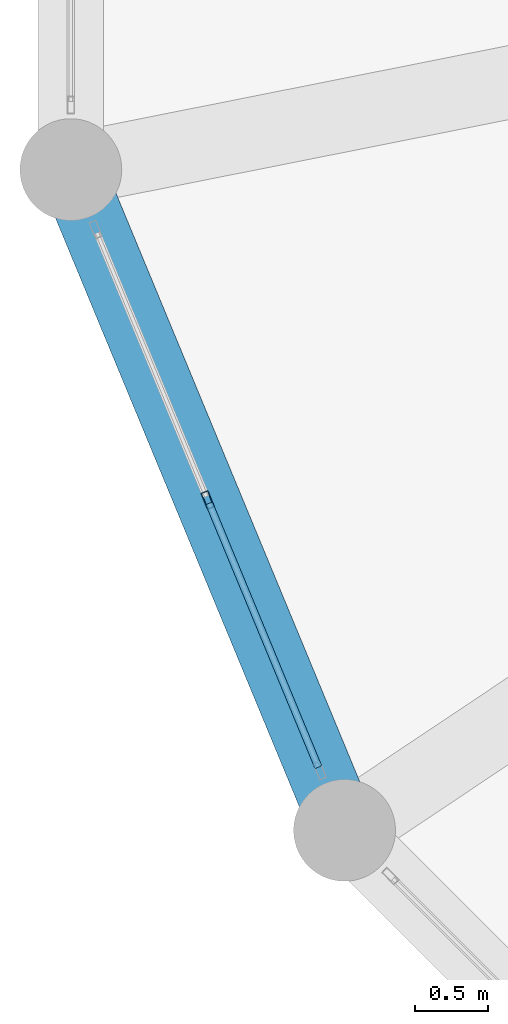
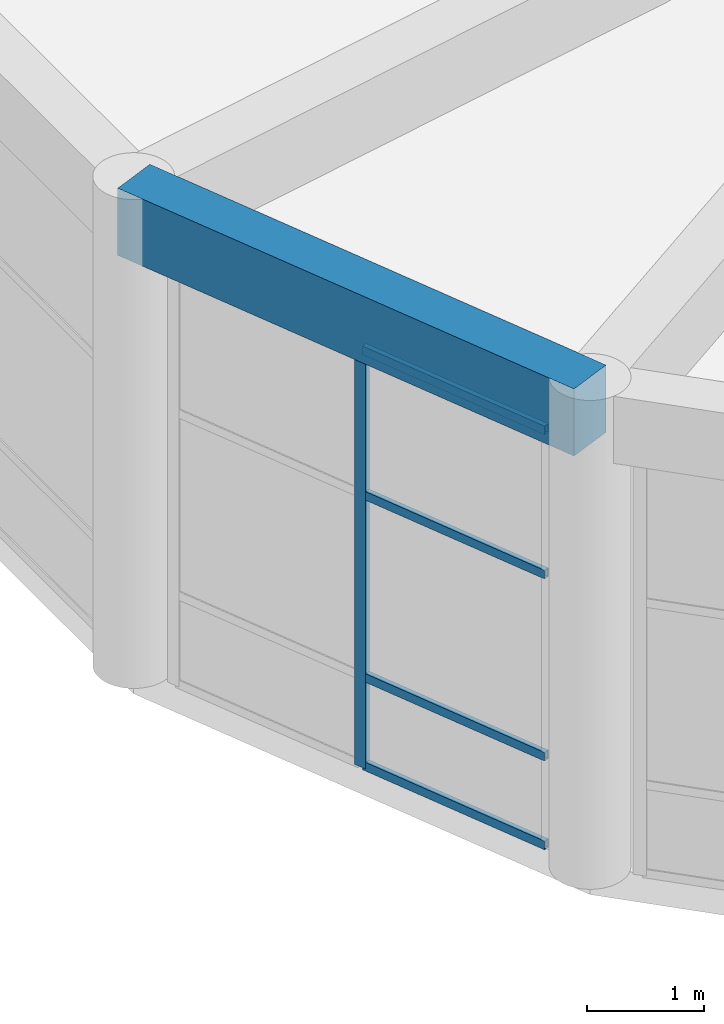
# One storey, part 4 of 96: 5 members, 1 beam, 1 element without a shape of its own.
"""IFC4 building model written with IfcOpenShell, lengths in metres."""

from ifc_helpers import new_model, si_unit, direction, frame, origin, origin_2d, place, context, subcontext, project, spatial, rectangle, hollow_rectangle, extrude, material, material_profile, profile_set, type_object, element, aggregate, save


model = new_model("IFC4")

# Units and contexts
model_context = context("Model", 3, precision=1e-05, world=origin(), true_north=direction((0.0, 1.0)))
body_context = subcontext(model_context, "Body", "Model", "MODEL_VIEW")
ifc_project = project(units=[si_unit("LENGTHUNIT", "METRE"), si_unit("AREAUNIT", "SQUARE_METRE"), si_unit("VOLUMEUNIT", "CUBIC_METRE"), si_unit("PLANEANGLEUNIT", "RADIAN"), si_unit("MASSUNIT", "GRAM", prefix="KILO")], contexts=[model_context])

# Site, building, storey
site_placement = place(None, origin())
site = spatial("IfcSite", under=ifc_project, at=site_placement, CompositionType="ELEMENT")
building_placement = place(site_placement, origin())
building = spatial("IfcBuilding", under=site, at=building_placement, Name="Almacenes y Pasaje Nevantli", CompositionType="ELEMENT")
storey_placement = place(building_placement, frame((0.0, 0.0, 6.0)))
storey = spatial("IfcBuildingStorey", under=building, at=storey_placement, Name="L02", CompositionType="ELEMENT", Elevation=6.0)

# Beam
ifc_material_1 = material(Name="Concrete C35/45", Category="concrete")
ifc_material_profile_1 = material_profile(ifc_material_1, rectangle(XDim=0.449951171875, YDim=0.699951171875, at=origin_2d()), Name="RC-BM-450x700")
ifc_profile_set_1 = profile_set([ifc_material_profile_1], Name="Concrete C35/45")
beam_type = type_object("IfcBeamType", Name="BM-RC-450x700", PredefinedType="SPANDREL", material=ifc_profile_set_1)
beam_placement = place(storey_placement, frame((-3.9580078125, 5.94189453125, 4.75), z_axis=(0.38272458482, -0.923862485532, 0.0), x_axis=(0.923862485532, 0.38272458482, 0.0)))
element("IfcBeam", 1, at=beam_placement, inside=storey, type_object=beam_type, Name="L02 Rotunda Ring Spandrel Beam #9", PredefinedType="SPANDREL", context=body_context, shape_type="SweptSolid", body=[
    extrude(rectangle(XDim=0.449951171875, YDim=0.699951171875, at=origin_2d()), origin(), (0.0, 0.0, 1.0), 4.916259765625),
])

# Curtain wall, members
ifc_material_2 = material(Name="Thermally Broken Aluminium and Low-E Glass", Category="aluminium")
curtain_wall_type = type_object("IfcCurtainWallType", Name="CW-UNIT-ROTUNDA", PredefinedType="USERDEFINED", material=ifc_material_2)
curtain_wall_placement = place(storey_placement, origin())
curtain_wall = element("IfcCurtainWall", 2, at=curtain_wall_placement, inside=storey, type_object=curtain_wall_type, Name="L02 Corner Rotunda Faceted Curtain Wall Facet #9", ObjectType="UNITIZED CURTAIN WALL", PredefinedType="USERDEFINED")
ifc_material_3 = material(Name="Thermally Broken Anodized Aluminium", Category="aluminium")
ifc_material_profile_2 = material_profile(ifc_material_3, hollow_rectangle(XDim=0.050048828125, YDim=0.1201171875, WallThickness=0.003173828125, at=origin_2d()), Name="ALU-MUL-50x120")
ifc_profile_set_2 = profile_set([ifc_material_profile_2], Name="Thermally Broken Anodized Aluminium")
member_type_1 = type_object("IfcMemberType", Name="CW-MUL-140", PredefinedType="MULLION", material=ifc_profile_set_2)
member_1_placement = place(storey_placement, frame((-3.01708984375, 3.6708984375, 0.0), z_axis=(0.0, 0.0, 1.0), x_axis=(0.923873311502, 0.382698450865, 0.0)))
member_1 = element("IfcMember", 3, at=member_1_placement, type_object=member_type_1, Name="CW-L02-028 mullion 2", PredefinedType="MULLION", context=body_context, shape_type="SweptSolid", body=[
    extrude(hollow_rectangle(XDim=0.050048828125, YDim=0.1201171875, WallThickness=0.003173828125, at=origin_2d()), origin(), (0.0, 0.0, 1.0), 4.3798828125),
])
ifc_material_4 = material(Name="Thermally Broken Anodized Aluminium", Category="aluminium")
ifc_material_profile_3 = material_profile(ifc_material_4, hollow_rectangle(XDim=0.050048828125, YDim=0.090087890625, WallThickness=0.0029296875, at=origin_2d()), Name="ALU-TRN-50x90")
ifc_profile_set_3 = profile_set([ifc_material_profile_3], Name="Thermally Broken Anodized Aluminium")
member_type_2 = type_object("IfcMemberType", Name="CW-TRN-100", PredefinedType="USERDEFINED", material=ifc_profile_set_3)
member_2_placement = place(storey_placement, frame((-3.007568359375, 3.647705078125, 0.02490234375), z_axis=(0.382662992588, -0.923887998679, 0.0), x_axis=(0.923887998679, 0.382662992588, 0.0)))
member_2 = element("IfcMember", 4, at=member_2_placement, type_object=member_type_2, Name="CW-L02-028 transom 2.1", ObjectType="TRANSOM", PredefinedType="USERDEFINED", context=body_context, shape_type="SweptSolid", body=[
    extrude(hollow_rectangle(XDim=0.050048828125, YDim=0.090087890625, WallThickness=0.0029296875, at=origin_2d()), origin(), (0.0, 0.0, 1.0), 1.963134765625),
])
member_3_placement = place(storey_placement, frame((-3.007568359375, 3.647705078125, 0.949951171875), z_axis=(0.382662992588, -0.923887998679, 0.0), x_axis=(0.923887998679, 0.382662992588, 0.0)))
member_3 = element("IfcMember", 5, at=member_3_placement, type_object=member_type_2, Name="CW-L02-028 transom 2.2", ObjectType="TRANSOM", PredefinedType="USERDEFINED", context=body_context, shape_type="SweptSolid", body=[
    extrude(hollow_rectangle(XDim=0.050048828125, YDim=0.090087890625, WallThickness=0.0029296875, at=origin_2d()), origin(), (0.0, 0.0, 1.0), 1.963134765625),
])
member_4_placement = place(storey_placement, frame((-3.007568359375, 3.647705078125, 2.85009765625), z_axis=(0.382662992588, -0.923887998679, 0.0), x_axis=(0.923887998679, 0.382662992588, 0.0)))
member_4 = element("IfcMember", 6, at=member_4_placement, type_object=member_type_2, Name="CW-L02-028 transom 2.3", ObjectType="TRANSOM", PredefinedType="USERDEFINED", context=body_context, shape_type="SweptSolid", body=[
    extrude(hollow_rectangle(XDim=0.050048828125, YDim=0.090087890625, WallThickness=0.0029296875, at=origin_2d()), origin(), (0.0, 0.0, 1.0), 1.963134765625),
])
member_5_placement = place(storey_placement, frame((-3.007568359375, 3.647705078125, 4.35498046875), z_axis=(0.382662992588, -0.923887998679, 0.0), x_axis=(0.923887998679, 0.382662992588, 0.0)))
member_5 = element("IfcMember", 7, at=member_5_placement, type_object=member_type_2, Name="CW-L02-028 transom 2.4", ObjectType="TRANSOM", PredefinedType="USERDEFINED", context=body_context, shape_type="SweptSolid", body=[
    extrude(hollow_rectangle(XDim=0.050048828125, YDim=0.090087890625, WallThickness=0.0029296875, at=origin_2d()), origin(), (0.0, 0.0, 1.0), 1.963134765625),
])
aggregate(curtain_wall, [member_1, member_2, member_3, member_4, member_5])

save(model, "model.ifc")
